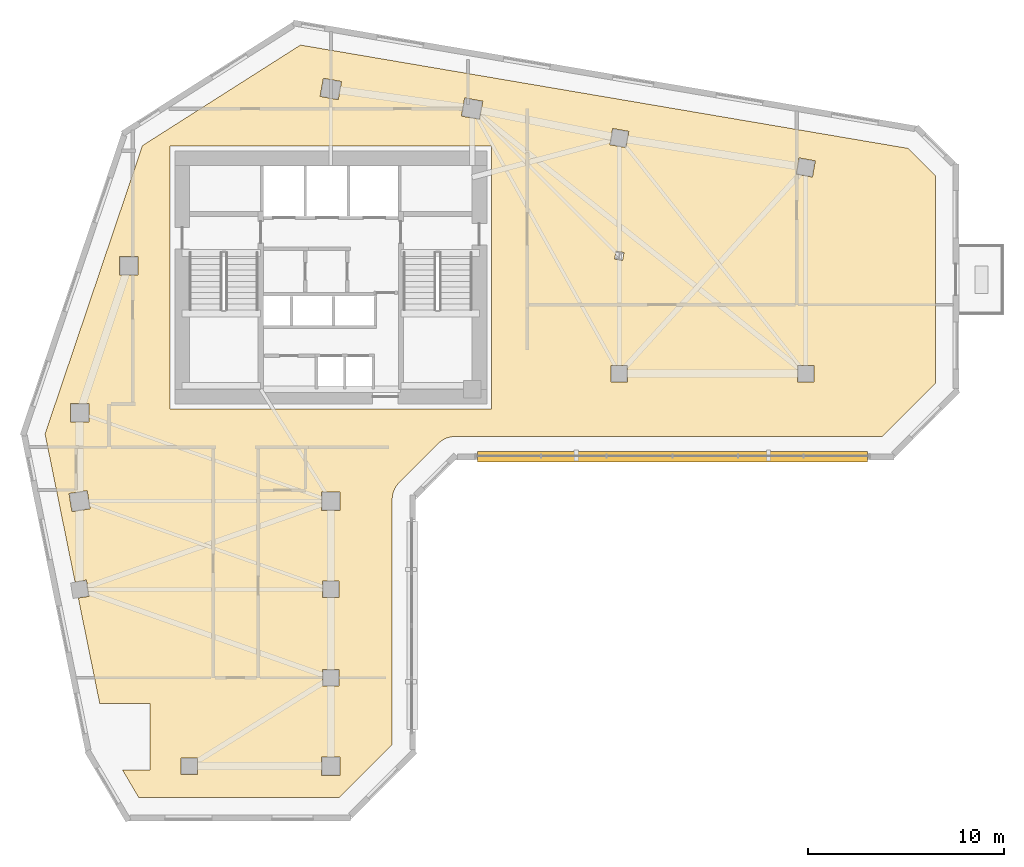
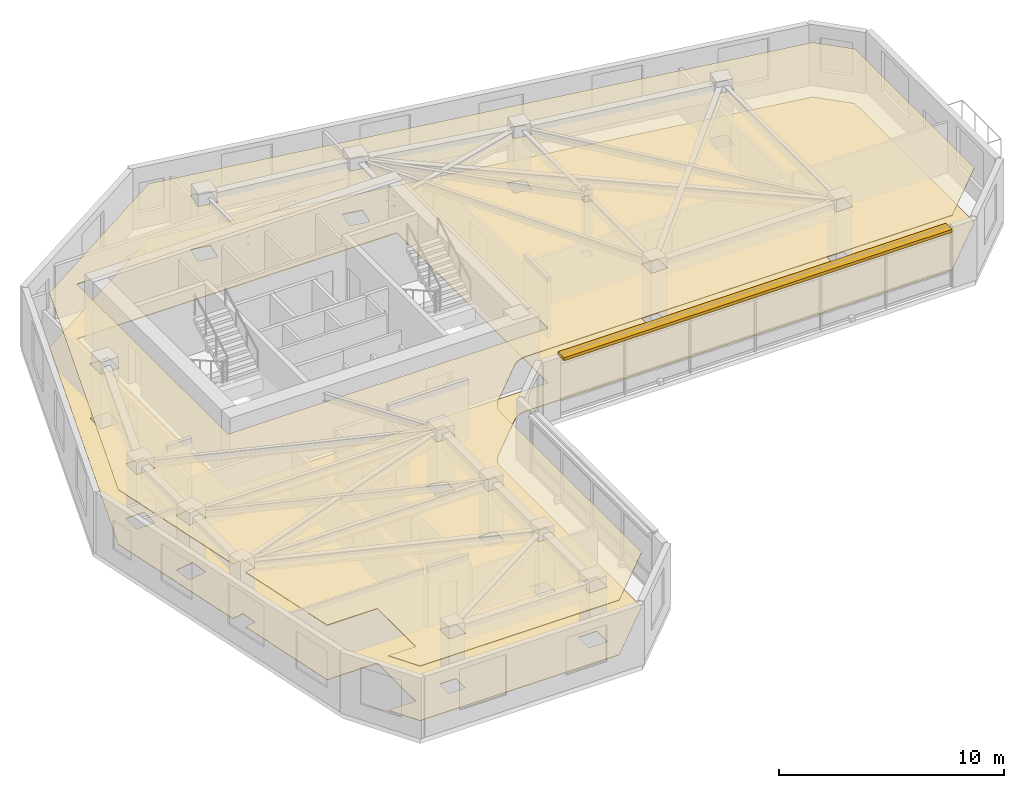
# One storey, part 9 of 10: 2 coverings, 1 shading device.
"""IFC4 building model written with IfcOpenShell, lengths in metres."""

from ifc_helpers import new_model, si_unit, direction, frame, frame_2d, origin, place, context, subcontext, project, spatial, polyline, rectangle, outline, extrude, material, layer, layer_set, type_object, element, save


model = new_model("IFC4")

# Units and contexts
model_context = context("Model", 3, precision=1e-05, world=origin(), true_north=direction((0.0, 1.0)))
body_context = subcontext(model_context, "Body", "Model", "MODEL_VIEW")
ifc_project = project(units=[si_unit("LENGTHUNIT", "METRE"), si_unit("AREAUNIT", "SQUARE_METRE"), si_unit("VOLUMEUNIT", "CUBIC_METRE"), si_unit("PLANEANGLEUNIT", "RADIAN"), si_unit("MASSUNIT", "GRAM", prefix="KILO")], contexts=[model_context])

# Site, building, storey
site_placement = place(None, origin())
site = spatial("IfcSite", under=ifc_project, at=site_placement, CompositionType="ELEMENT")
building_placement = place(site_placement, origin())
building = spatial("IfcBuilding", under=site, at=building_placement, Name="Calvemar Wedge Station Tower", CompositionType="ELEMENT")
storey_placement = place(building_placement, frame((0.0, 0.0, 168.199951171875)))
storey = spatial("IfcBuildingStorey", under=building, at=storey_placement, Name="L42", CompositionType="ELEMENT", Elevation=168.199951171875)

# Coverings
ifc_material_1 = material(Name="Moisture-resistant gypsum ceiling")
ifc_layer_1 = layer(ifc_material_1, 0.0400390625)
ifc_layer_set_1 = layer_set([ifc_layer_1], Name="Moisture-resistant gypsum ceiling")
covering_type_1 = type_object("IfcCoveringType", Name="COV-CEIL-GYPSUM", PredefinedType="CEILING", material=ifc_layer_set_1)
covering_1_placement = place(storey_placement, frame((0.0, 0.0, 2.949951171875)))
element("IfcCovering", 1, at=covering_1_placement, inside=storey, type_object=covering_type_1, Name="Storey L42 Acoustic Suspended Ceiling", PredefinedType="CEILING", context=body_context, shape_type="SweptSolid", body=[
    extrude(outline(polyline([(27.279541015625, 29.4404296875), (29.279541015625, 31.4404296875), (29.36669921875, 31.51953125), (29.461181640625, 31.58984375), (29.562255859375, 31.650390625), (29.668701171875, 31.70068359375), (29.77978515625, 31.740234375), (29.893798828125, 31.768798828125), (30.010498046875, 31.7861328125), (30.1279296875, 31.7919921875), (51.90283203125, 31.7919921875), (54.60009765625, 34.489013671875), (54.60009765625, 45.094970703125), (53.221923828125, 46.47314453125), (22.25439453125, 51.739501953125), (14.201416015625, 46.614990234375), (9.240234375, 31.922119140625), (10.76904296875, 24.388427734375), (11.348388671875, 24.481201171875), (11.481201171875, 23.651611328125), (10.936279296875, 23.564453125), (12.02490234375, 18.199951171875), (14.60009765625, 18.199951171875), (14.60009765625, 14.800048828125), (13.19091796875, 14.800048828125), (14.014404296875, 13.39990234375), (24.23095703125, 13.39990234375), (26.927978515625, 16.09716796875), (26.927978515625, 28.592041015625), (26.933837890625, 28.709716796875), (26.951171875, 28.826171875), (26.979736328125, 28.940185546875), (27.019287109375, 29.05126953125), (27.069580078125, 29.15771484375), (27.130126953125, 29.2587890625), (27.200439453125, 29.353271484375), (27.279541015625, 29.4404296875)]), holes=[polyline([(15.60009765625, 46.60009765625), (32.0, 46.60009765625), (32.0, 33.199951171875), (15.60009765625, 33.199951171875), (15.60009765625, 46.60009765625)]), polyline([(10.530029296875, 32.530029296875), (10.530029296875, 33.469970703125), (11.469970703125, 33.469970703125), (11.469970703125, 32.530029296875), (10.530029296875, 32.530029296875)]), polyline([(13.030029296875, 40.969970703125), (13.969970703125, 40.969970703125), (13.969970703125, 40.030029296875), (13.030029296875, 40.030029296875), (13.030029296875, 40.969970703125)]), polyline([(24.345703125, 49.87939453125), (24.17919921875, 48.9541015625), (23.254150390625, 49.12060546875), (23.420654296875, 50.0458984375), (24.345703125, 49.87939453125)]), polyline([(31.37939453125, 47.9541015625), (30.4541015625, 48.12060546875), (30.62060546875, 49.0458984375), (31.5458984375, 48.87939453125), (31.37939453125, 47.9541015625)]), polyline([(38.01220703125, 46.660888671875), (38.160888671875, 47.48779296875), (38.98779296875, 47.339111328125), (38.839111328125, 46.51220703125), (38.01220703125, 46.660888671875)]), polyline([(47.660888671875, 45.98779296875), (48.48779296875, 45.839111328125), (48.339111328125, 45.01220703125), (47.51220703125, 45.160888671875), (47.660888671875, 45.98779296875)]), polyline([(38.919921875, 35.419921875), (38.919921875, 34.580078125), (38.080078125, 34.580078125), (38.080078125, 35.419921875), (38.919921875, 35.419921875)]), polyline([(48.419921875, 34.580078125), (47.580078125, 34.580078125), (47.580078125, 35.419921875), (48.419921875, 35.419921875), (48.419921875, 34.580078125)]), polyline([(38.259765625, 40.833984375), (38.332763671875, 41.239501953125), (38.740234375, 41.166015625), (38.667236328125, 40.760498046875), (38.259765625, 40.833984375)]), polyline([(11.389892578125, 29.038330078125), (11.538330078125, 28.110107421875), (10.610107421875, 27.961669921875), (10.461669921875, 28.889892578125), (11.389892578125, 29.038330078125)]), polyline([(24.27001953125, 28.030029296875), (23.330078125, 28.030029296875), (23.330078125, 28.969970703125), (24.27001953125, 28.969970703125), (24.27001953125, 28.030029296875)]), polyline([(23.3798828125, 23.580078125), (23.3798828125, 24.419921875), (24.219970703125, 24.419921875), (24.219970703125, 23.580078125), (23.3798828125, 23.580078125)]), polyline([(23.3798828125, 19.919921875), (24.219970703125, 19.919921875), (24.219970703125, 19.080078125), (23.3798828125, 19.080078125), (23.3798828125, 19.919921875)]), polyline([(24.27001953125, 15.469970703125), (24.27001953125, 14.530029296875), (23.330078125, 14.530029296875), (23.330078125, 15.469970703125), (24.27001953125, 15.469970703125)]), polyline([(17.02001953125, 14.580078125), (16.179931640625, 14.580078125), (16.179931640625, 15.419921875), (17.02001953125, 15.419921875), (17.02001953125, 14.580078125)])]), origin(), (0.0, 0.0, 1.0), 0.0400390625),
])
ifc_material_2 = material(Name="Honed coastal granite stone tile", Category="masonry")
ifc_layer_2 = layer(ifc_material_2, 0.030029296875)
ifc_layer_set_2 = layer_set([ifc_layer_2], Name="Honed coastal granite stone tile")
covering_type_2 = type_object("IfcCoveringType", Name="COV-FLR-STONE", PredefinedType="FLOORING", material=ifc_layer_set_2)
covering_2_placement = place(storey_placement, origin())
element("IfcCovering", 2, at=covering_2_placement, inside=storey, type_object=covering_type_2, Name="Storey L42 Architectural Floor Finish", PredefinedType="FLOORING", context=body_context, shape_type="SweptSolid", body=[
    extrude(outline(polyline([(27.279541015625, 29.4404296875), (29.279541015625, 31.4404296875), (29.36669921875, 31.51953125), (29.461181640625, 31.58984375), (29.562255859375, 31.650390625), (29.668701171875, 31.70068359375), (29.77978515625, 31.740234375), (29.893798828125, 31.768798828125), (30.010498046875, 31.7861328125), (30.1279296875, 31.7919921875), (51.90283203125, 31.7919921875), (54.60009765625, 34.489013671875), (54.60009765625, 45.094970703125), (53.221923828125, 46.47314453125), (22.25439453125, 51.739501953125), (14.201416015625, 46.614990234375), (9.240234375, 31.922119140625), (10.76904296875, 24.388427734375), (11.348388671875, 24.481201171875), (11.481201171875, 23.651611328125), (10.936279296875, 23.564453125), (12.02490234375, 18.199951171875), (14.60009765625, 18.199951171875), (14.60009765625, 14.800048828125), (13.19091796875, 14.800048828125), (14.014404296875, 13.39990234375), (24.23095703125, 13.39990234375), (26.927978515625, 16.09716796875), (26.927978515625, 28.592041015625), (26.933837890625, 28.709716796875), (26.951171875, 28.826171875), (26.979736328125, 28.940185546875), (27.019287109375, 29.05126953125), (27.069580078125, 29.15771484375), (27.130126953125, 29.2587890625), (27.200439453125, 29.353271484375), (27.279541015625, 29.4404296875)]), holes=[polyline([(15.60009765625, 46.60009765625), (32.0, 46.60009765625), (32.0, 33.199951171875), (15.60009765625, 33.199951171875), (15.60009765625, 46.60009765625)]), polyline([(10.530029296875, 32.530029296875), (10.530029296875, 33.469970703125), (11.469970703125, 33.469970703125), (11.469970703125, 32.530029296875), (10.530029296875, 32.530029296875)]), polyline([(13.030029296875, 40.969970703125), (13.969970703125, 40.969970703125), (13.969970703125, 40.030029296875), (13.030029296875, 40.030029296875), (13.030029296875, 40.969970703125)]), polyline([(24.345703125, 49.87939453125), (24.17919921875, 48.9541015625), (23.254150390625, 49.12060546875), (23.420654296875, 50.0458984375), (24.345703125, 49.87939453125)]), polyline([(31.37939453125, 47.9541015625), (30.4541015625, 48.12060546875), (30.62060546875, 49.0458984375), (31.5458984375, 48.87939453125), (31.37939453125, 47.9541015625)]), polyline([(38.01220703125, 46.660888671875), (38.160888671875, 47.48779296875), (38.98779296875, 47.339111328125), (38.839111328125, 46.51220703125), (38.01220703125, 46.660888671875)]), polyline([(47.660888671875, 45.98779296875), (48.48779296875, 45.839111328125), (48.339111328125, 45.01220703125), (47.51220703125, 45.160888671875), (47.660888671875, 45.98779296875)]), polyline([(38.919921875, 35.419921875), (38.919921875, 34.580078125), (38.080078125, 34.580078125), (38.080078125, 35.419921875), (38.919921875, 35.419921875)]), polyline([(48.419921875, 34.580078125), (47.580078125, 34.580078125), (47.580078125, 35.419921875), (48.419921875, 35.419921875), (48.419921875, 34.580078125)]), polyline([(38.259765625, 40.833984375), (38.332763671875, 41.239501953125), (38.740234375, 41.166015625), (38.667236328125, 40.760498046875), (38.259765625, 40.833984375)]), polyline([(11.389892578125, 29.038330078125), (11.538330078125, 28.110107421875), (10.610107421875, 27.961669921875), (10.461669921875, 28.889892578125), (11.389892578125, 29.038330078125)]), polyline([(24.27001953125, 28.030029296875), (23.330078125, 28.030029296875), (23.330078125, 28.969970703125), (24.27001953125, 28.969970703125), (24.27001953125, 28.030029296875)]), polyline([(23.3798828125, 23.580078125), (23.3798828125, 24.419921875), (24.219970703125, 24.419921875), (24.219970703125, 23.580078125), (23.3798828125, 23.580078125)]), polyline([(23.3798828125, 19.919921875), (24.219970703125, 19.919921875), (24.219970703125, 19.080078125), (23.3798828125, 19.080078125), (23.3798828125, 19.919921875)]), polyline([(24.27001953125, 15.469970703125), (24.27001953125, 14.530029296875), (23.330078125, 14.530029296875), (23.330078125, 15.469970703125), (24.27001953125, 15.469970703125)]), polyline([(17.02001953125, 14.580078125), (16.179931640625, 14.580078125), (16.179931640625, 15.419921875), (17.02001953125, 15.419921875), (17.02001953125, 14.580078125)])]), origin(), (0.0, 0.0, 1.0), 0.030029296875),
])

# Shading device
ifc_material_3 = material(Name="Precast concrete C45", Category="concrete")
shading_device_type = type_object("IfcShadingDeviceType", Name="SHD-EYEBROW-1", PredefinedType="SHUTTER", material=ifc_material_3)
shading_device_placement = place(storey_placement, frame((31.265869140625, 30.761962890625, 3.1201171875), z_axis=(0.0, 0.0, 1.0), x_axis=(1.0, 0.0, 0.0)))
element("IfcShadingDevice", 3, at=shading_device_placement, inside=storey, type_object=shading_device_type, Name="Storey L42 Bronze GFRC Solar Eyebrow 6", PredefinedType="SHUTTER", context=body_context, shape_type="SweptSolid", body=[
    extrude(rectangle(XDim=19.8720703125, YDim=0.550048828125, at=frame_2d((9.93603515625, 0.0))), origin(), (0.0, 0.0, 1.0), 0.159912109375),
])

save(model, "model.ifc")
